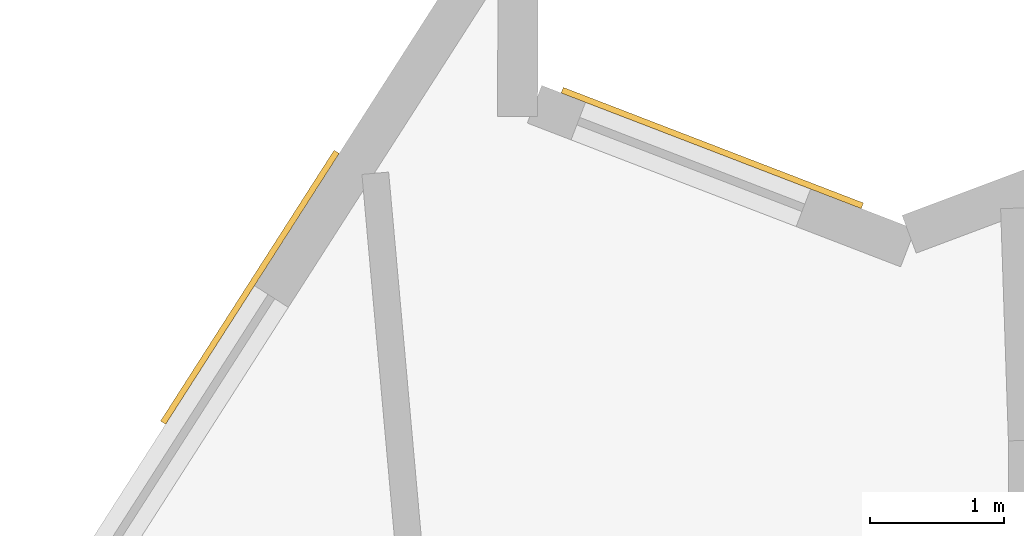
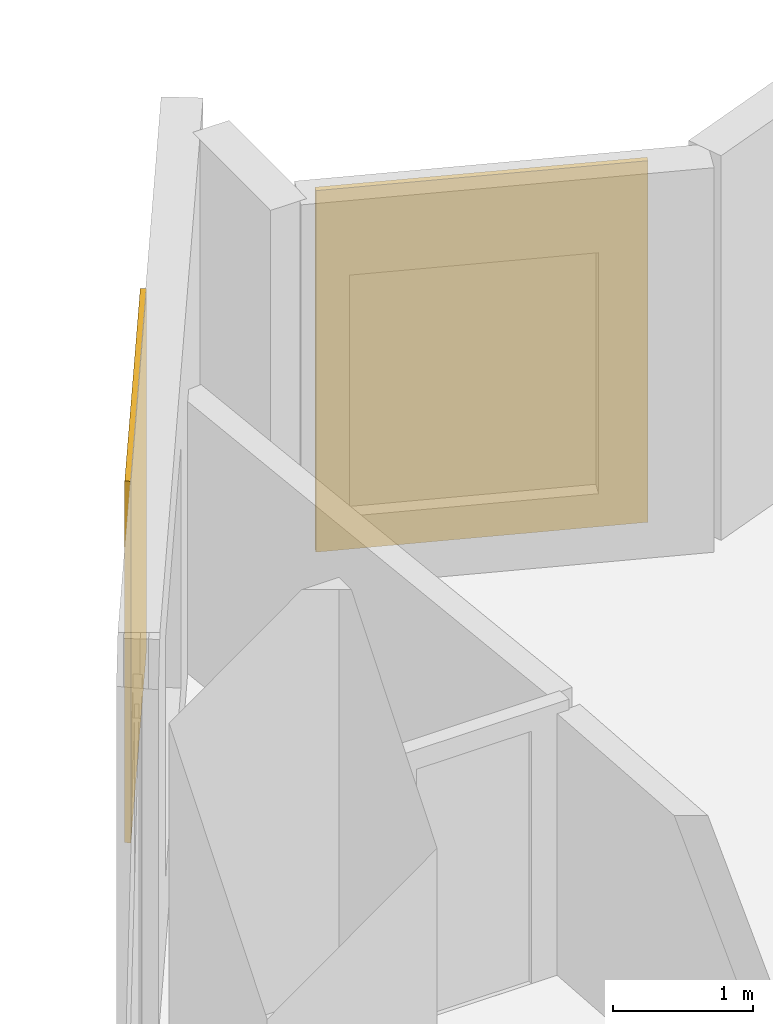
# One storey, part 12 of 12: 2 coverings.
"""IFC4 building model written with IfcOpenShell, lengths in metres."""

from ifc_helpers import new_model, si_unit, direction, frame, origin, origin_2d, place, context, subcontext, project, spatial, rectangle, extrude, material, layer, layer_set, type_object, element, save


model = new_model("IFC4")

# Units and contexts
model_context = context("Model", 3, precision=1e-05, world=origin(), true_north=direction((0.0, 1.0)))
body_context = subcontext(model_context, "Body", "Model", "MODEL_VIEW")
ifc_project = project(units=[si_unit("LENGTHUNIT", "METRE"), si_unit("AREAUNIT", "SQUARE_METRE"), si_unit("VOLUMEUNIT", "CUBIC_METRE"), si_unit("PLANEANGLEUNIT", "RADIAN"), si_unit("MASSUNIT", "GRAM", prefix="KILO")], contexts=[model_context])

# Site, building, storey
site_placement = place(None, origin())
site = spatial("IfcSite", under=ifc_project, at=site_placement, CompositionType="ELEMENT")
building_placement = place(site_placement, origin())
building = spatial("IfcBuilding", under=site, at=building_placement, Name="Almagre Mirador Tower", CompositionType="ELEMENT")
storey_placement = place(building_placement, frame((0.0, 0.0, 64.199951171875)))
storey = spatial("IfcBuildingStorey", under=building, at=storey_placement, Name="L15", CompositionType="ELEMENT", Elevation=64.199951171875)

# Coverings
ifc_material = material(Name="Almagre terracotta architectural cladding", Category="masonry")
ifc_layer = layer(ifc_material, 0.044921875)
ifc_layer_set = layer_set([ifc_layer], Name="Almagre terracotta architectural cladding")
covering_type = type_object("IfcCoveringType", Name="COV-CLAD-ALMAGRE", PredefinedType="CLADDING", material=ifc_layer_set)
for number, where, z_axis, x_axis, name in (
    (1, (31.490234375, 42.21337890625, 0.10009765625), (0.0, 0.0, 1.0), (0.539549843501, 0.84195366047, 0.0), "L15 almagre terracotta pier cladding"),
    (2, (34.9404296875, 43.25244140625, 0.10009765625), (0.0, 0.0, 1.0), (0.933192088545, -0.359377970774, 0.0), "L15 almagre terracotta pier cladding"),
):
    element("IfcCovering", number, at=place(storey_placement, frame(where, z_axis=z_axis, x_axis=x_axis)), inside=storey, type_object=covering_type, Name=name, PredefinedType="CLADDING", context=body_context, shape_type="SweptSolid", body=[
        extrude(rectangle(XDim=2.39990234375, YDim=0.044921875, at=origin_2d()), origin(), (0.0, 0.0, 1.0), 3.14990234375),
    ])

save(model, "model.ifc")
